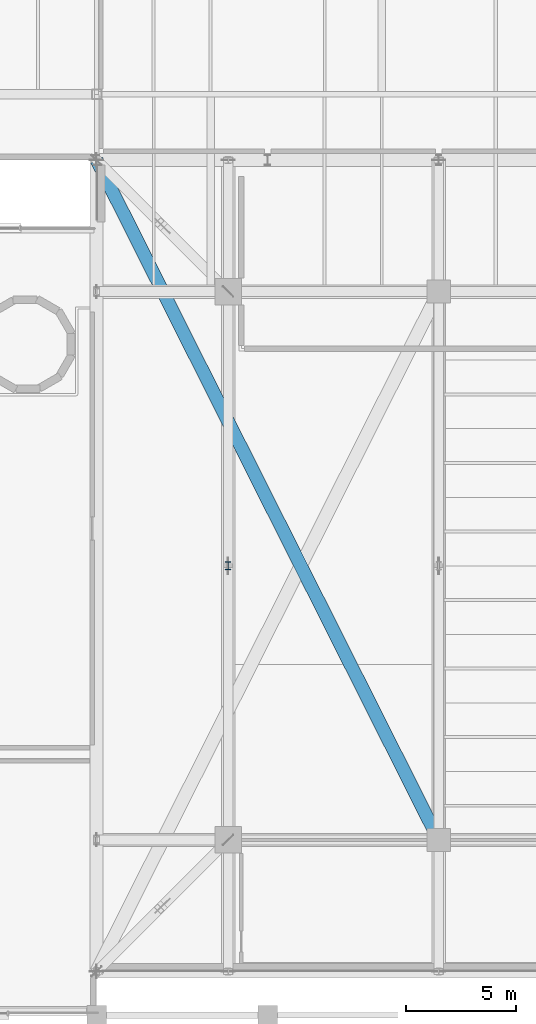
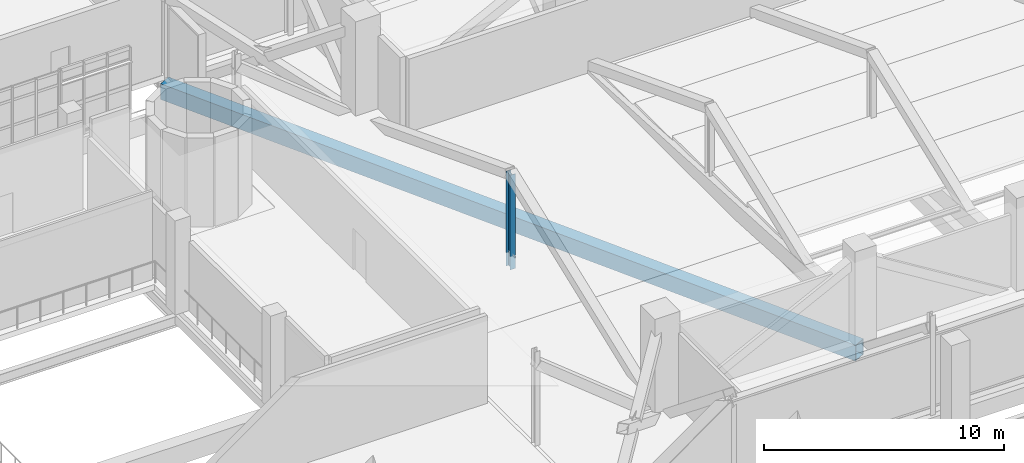
# One storey, part 25 of 127: 1 beam, 1 member.
"""IFC4 building model written with IfcOpenShell, lengths in metres."""

from ifc_helpers import new_model, si_unit, derived_unit, direction, frame, origin, origin_2d, place, context, subcontext, project, spatial, hollow_rectangle, i_section, extrude, material, material_profile, profile_set, type_object, element, save


model = new_model("IFC4")

# Units and contexts
model_context = context("Model", 3, precision=1e-05, world=origin(), true_north=direction((0.0, 1.0)))
body_context = subcontext(model_context, "Body", "Model", "MODEL_VIEW")
ifc_project = project(units=[si_unit("LENGTHUNIT", "METRE"), si_unit("AREAUNIT", "SQUARE_METRE"), si_unit("VOLUMEUNIT", "CUBIC_METRE"), si_unit("PLANEANGLEUNIT", "RADIAN"), si_unit("MASSUNIT", "GRAM", prefix="KILO"), derived_unit("THERMALTRANSMITTANCEUNIT", [(si_unit("POWERUNIT", "WATT"), 1), (si_unit("LENGTHUNIT", "METRE"), -2), (si_unit("THERMODYNAMICTEMPERATUREUNIT", "KELVIN"), -1)])], contexts=[model_context])

# Site, building, storey
site_placement = place(None, origin())
site = spatial("IfcSite", under=ifc_project, at=site_placement, CompositionType="ELEMENT")
building_placement = place(site_placement, origin())
building = spatial("IfcBuilding", under=site, at=building_placement, Name="Nallur Shell Playhouse", CompositionType="ELEMENT")
storey_placement = place(building_placement, frame((0.0, 0.0, 5.39990234375)))
storey = spatial("IfcBuildingStorey", under=building, at=storey_placement, Name="L02", CompositionType="ELEMENT", Elevation=5.39990234375)

# Beam
ifc_material = material(Name="Steel E350", Category="steel")
ifc_material_profile_1 = material_profile(ifc_material, hollow_rectangle(XDim=0.60009765625, YDim=0.800048828125, WallThickness=0.02490234375, at=origin_2d()), Name="BOX 600x800x25")
ifc_profile_set_1 = profile_set([ifc_material_profile_1], Name="Steel E350")
beam_type = type_object("IfcBeamType", Name="BM-TT-CHORD", PredefinedType="BEAM", material=ifc_profile_set_1)
beam_placement = place(storey_placement, frame((79.60009765625, 16.0, -0.679931640625), z_axis=(-0.449519572616, 0.893270481901, 0.0), x_axis=(-0.893270481901, -0.449519572616, 0.0)))
element("IfcBeam", 1, at=beam_placement, inside=storey, type_object=beam_type, Name="Corner transfer TTC-NW bottom chord", PredefinedType="BEAM", context=body_context, shape_type="SweptSolid", body=[
    extrude(hollow_rectangle(XDim=0.60009765625, YDim=0.800048828125, WallThickness=0.02490234375, at=origin_2d()), origin(), (0.0, 0.0, 1.0), 34.703857421875),
])

# Member
ifc_material_profile_2 = material_profile(ifc_material, i_section(OverallWidth=0.25, OverallDepth=0.35009765625, WebThickness=0.010009765625, FlangeThickness=0.01171875, FilletRadius=0.011962890625, at=origin_2d()), Name="ISHB 350")
ifc_profile_set_2 = profile_set([ifc_material_profile_2], Name="Steel E350")
member_type = type_object("IfcMemberType", Name="MB-TT-POST", PredefinedType="POST", material=ifc_profile_set_2)
member_placement = place(storey_placement, frame((70.0, 28.5, -0.679931640625), z_axis=(0.0, 0.0, 1.0), x_axis=(1.0, 0.0, 0.0)))
element("IfcMember", 2, at=member_placement, inside=storey, type_object=member_type, Name="Transfer truss TT-3 web post 3", PredefinedType="POST", context=body_context, shape_type="SweptSolid", body=[
    extrude(i_section(OverallWidth=0.25, OverallDepth=0.35009765625, WebThickness=0.010009765625, FlangeThickness=0.01171875, FilletRadius=0.011962890625, at=origin_2d()), origin(), (0.0, 0.0, 1.0), 4.820068359375),
])

save(model, "model.ifc")
